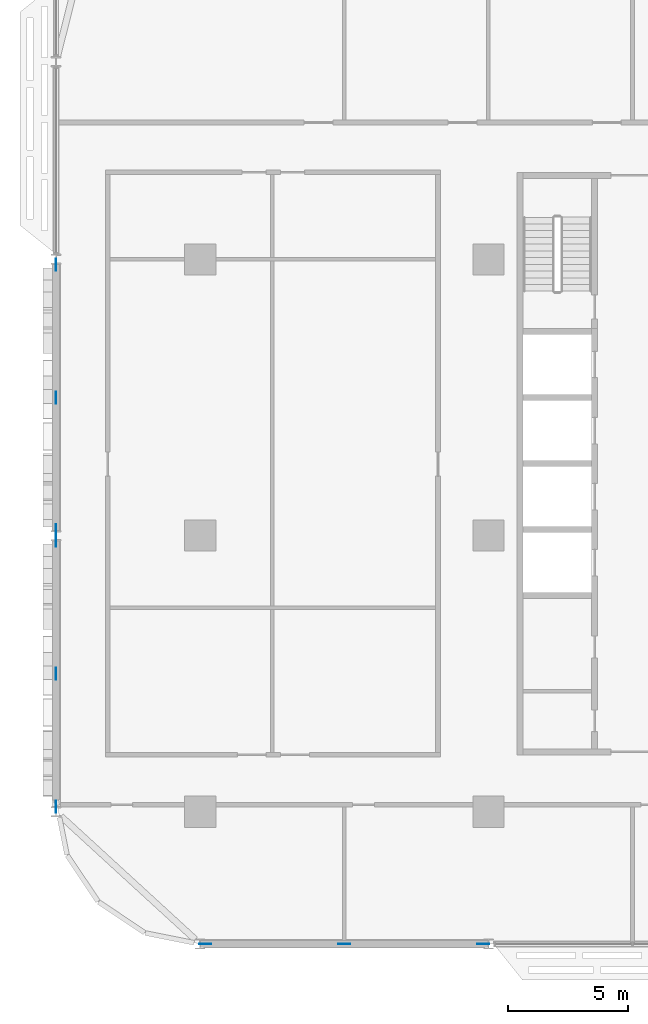
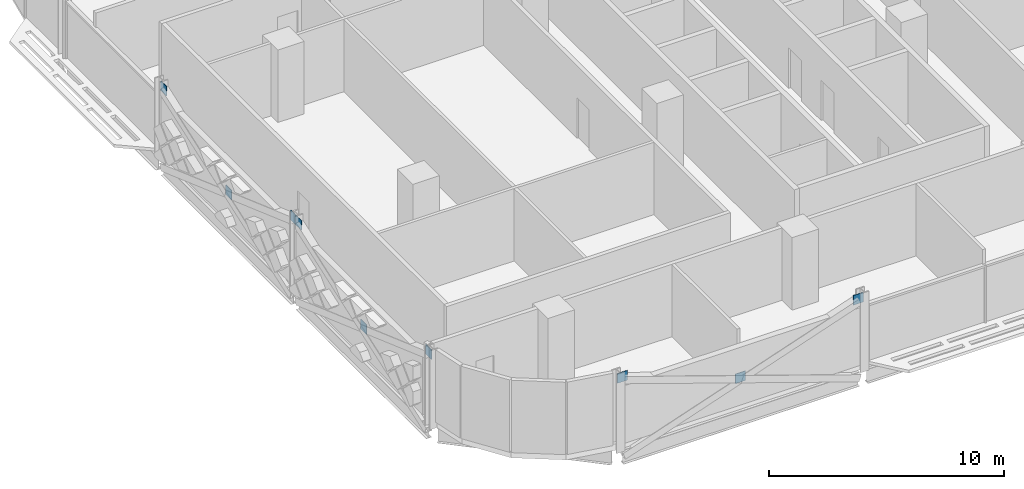
# One storey, part 19 of 28: 9 discrete accessories.
"""IFC4 building model written with IfcOpenShell, lengths in metres."""

from ifc_helpers import new_model, si_unit, direction, frame, origin, origin_2d, place, context, subcontext, project, spatial, rectangle, extrude, material, layer, layer_set, type_object, element, save


model = new_model("IFC4")

# Units and contexts
model_context = context("Model", 3, precision=1e-05, world=origin(), true_north=direction((0.0, 1.0)))
body_context = subcontext(model_context, "Body", "Model", "MODEL_VIEW")
ifc_project = project(units=[si_unit("LENGTHUNIT", "METRE"), si_unit("AREAUNIT", "SQUARE_METRE"), si_unit("VOLUMEUNIT", "CUBIC_METRE"), si_unit("PLANEANGLEUNIT", "RADIAN"), si_unit("MASSUNIT", "GRAM", prefix="KILO")], contexts=[model_context])

# Site, building, storey
site_placement = place(None, origin())
site = spatial("IfcSite", under=ifc_project, at=site_placement, CompositionType="ELEMENT")
building_placement = place(site_placement, origin())
building = spatial("IfcBuilding", under=site, at=building_placement, Name="Mahtab Terrace Research Tower", CompositionType="ELEMENT")
storey_placement = place(building_placement, frame((0.0, 0.0, 134.300048828125)))
storey = spatial("IfcBuildingStorey", under=building, at=storey_placement, Name="L31", CompositionType="ELEMENT", Elevation=134.300048828125)

# Discrete accessories
ifc_material = material(Name="Steel ASTM A992 Gr 50", Category="steel")
ifc_layer = layer(ifc_material, 0.030029296875)
ifc_layer_set = layer_set([ifc_layer], Name="Gusset plate 500x500x30")
discrete_accessory_type = type_object("IfcDiscreteAccessoryType", Name="Gusset plate 500x500x30", PredefinedType="USERDEFINED", material=ifc_layer_set)
for number, where, z_axis, x_axis, name in (
    (1, (-41.794189453125, -17.0, 3.131591796875), (0.0, 0.0, 1.0), (1.0, 0.0, 0.0), "Gusset plate"),
    (2, (-36.0, -17.0, 1.08154296875), (0.0, 0.0, 1.0), (1.0, 0.0, 0.0), "Gusset plate"),
    (3, (-30.205810546875, -17.0, 3.131591796875), (0.0, 0.0, 1.0), (1.0, 0.0, 0.0), "Gusset plate"),
    (4, (-48.0, -11.28271484375, 3.131591796875), (0.0, 0.0, 1.0), (0.0, 1.0, 0.0), "Gusset plate"),
    (5, (-48.0, -5.75, 1.08154296875), (0.0, 0.0, 1.0), (0.0, 1.0, 0.0), "Gusset plate"),
    (6, (-48.0, -0.21728515625, 3.131591796875), (0.0, 0.0, 1.0), (0.0, 1.0, 0.0), "Gusset plate"),
    (7, (-48.0, 0.21728515625, 3.131591796875), (0.0, 0.0, 1.0), (0.0, 1.0, 0.0), "Gusset plate"),
    (8, (-48.0, 5.75, 1.08154296875), (0.0, 0.0, 1.0), (0.0, 1.0, 0.0), "Gusset plate"),
    (9, (-48.0, 11.28271484375, 3.131591796875), (0.0, 0.0, 1.0), (0.0, 1.0, 0.0), "Gusset plate"),
):
    element("IfcDiscreteAccessory", number, at=place(storey_placement, frame(where, z_axis=z_axis, x_axis=x_axis)), inside=storey, type_object=discrete_accessory_type, Name=name, ObjectType="GUSSET PLATE", PredefinedType="USERDEFINED", context=body_context, shape_type="SweptSolid", body=[
        extrude(rectangle(XDim=0.5, YDim=0.030029296875, at=origin_2d()), origin(), (0.0, 0.0, 1.0), 0.5),
    ])

save(model, "model.ifc")
